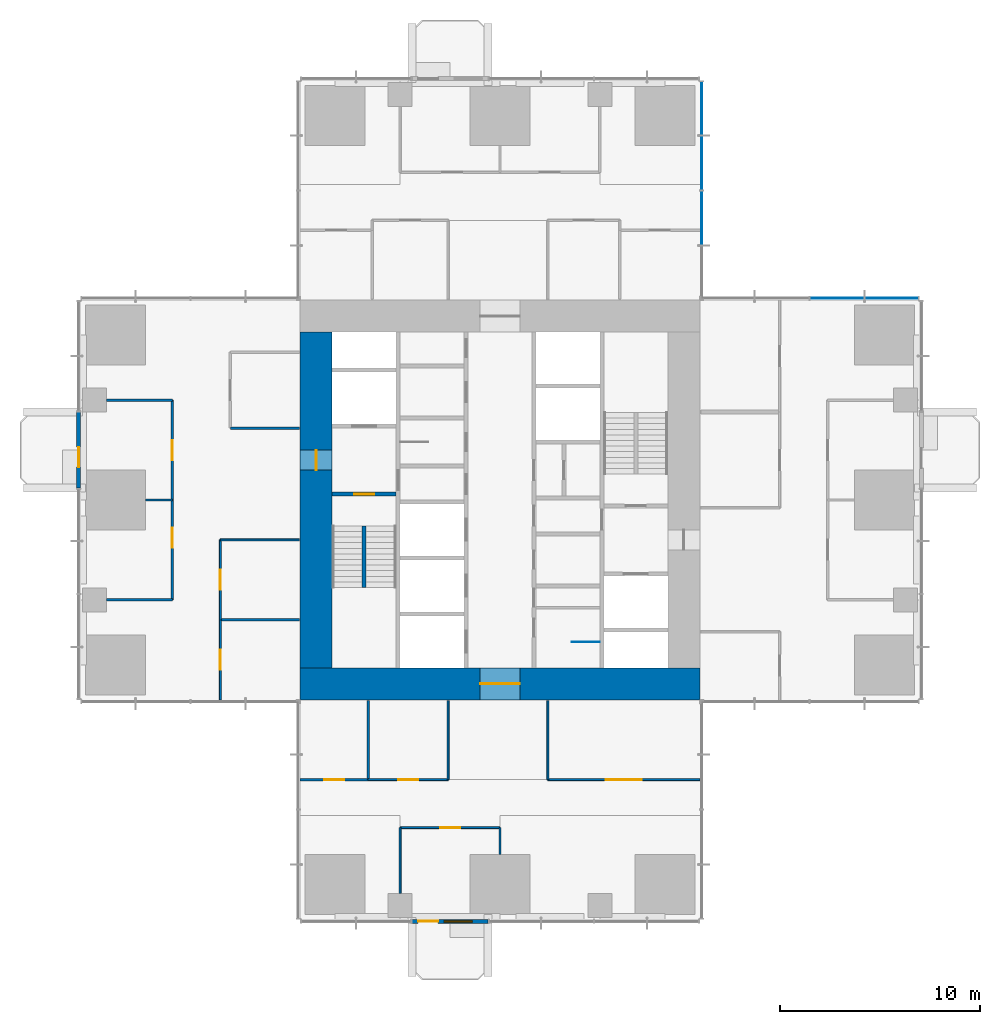
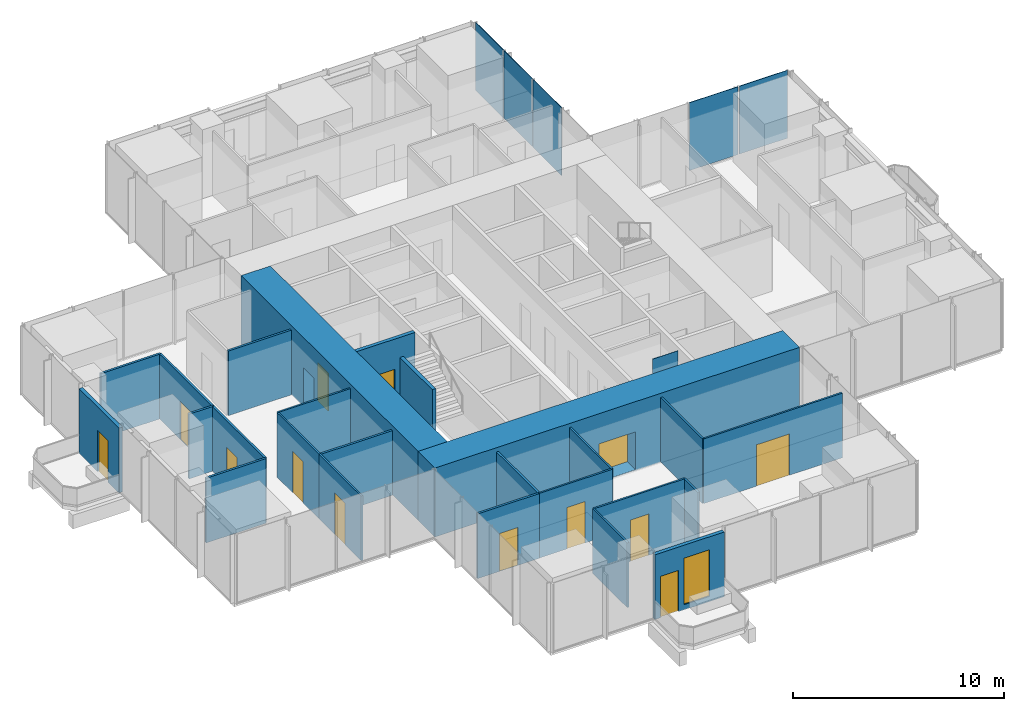
# One storey, part 8 of 14: 26 walls, 13 doors, 5 plates, 1 window, 14 openings, 2 elements without a shape of their own.
"""IFC4 building model written with IfcOpenShell, lengths in metres."""

from ifc_helpers import new_model, si_unit, direction, frame, frame_2d, origin, origin_2d, place, context, subcontext, project, spatial, rectangle, extrude, material, layer, layer_set, type_object, element, fill, aggregate, save


model = new_model("IFC4")

# Units and contexts
model_context = context("Model", 3, precision=1e-05, world=origin(), true_north=direction((0.0, 1.0)))
body_context = subcontext(model_context, "Body", "Model", "MODEL_VIEW")
ifc_project = project(units=[si_unit("LENGTHUNIT", "METRE"), si_unit("AREAUNIT", "SQUARE_METRE"), si_unit("VOLUMEUNIT", "CUBIC_METRE"), si_unit("PLANEANGLEUNIT", "RADIAN"), si_unit("MASSUNIT", "GRAM", prefix="KILO")], contexts=[model_context])

# Site, building, storey
site_placement = place(None, origin())
site = spatial("IfcSite", under=ifc_project, at=site_placement, CompositionType="ELEMENT")
building_placement = place(site_placement, origin())
building = spatial("IfcBuilding", under=site, at=building_placement, Name="Svetlomir Tower", CompositionType="ELEMENT")
storey_placement = place(building_placement, frame((0.0, 0.0, 108.5)))
storey = spatial("IfcBuildingStorey", under=building, at=storey_placement, Name="L25", CompositionType="ELEMENT", Elevation=108.5)

# Curtain wall, plates
ifc_material_1 = material(Name="Bronze anodised aluminium curtain wall", Category="aluminium")
curtain_wall_type = type_object("IfcCurtainWallType", Name="CURTAIN WALL CW1 TOWER OFFICE", PredefinedType="NOTDEFINED", material=ifc_material_1)
curtain_wall_1_placement = place(storey_placement, origin())
curtain_wall_1 = element("IfcCurtainWall", 1, at=curtain_wall_1_placement, inside=storey, type_object=curtain_wall_type, Name="Curtain wall CW1 L25", PredefinedType="NOTDEFINED")
ifc_material_2 = material(Name="Tinted double glazed unit", Category="glass")
ifc_layer_1 = layer(ifc_material_2, 0.031982421875)
ifc_layer_set_1 = layer_set([ifc_layer_1], Name="Tinted double glazed unit")
plate_type = type_object("IfcPlateType", Name="CW1 GLAZED PANEL 32", PredefinedType="CURTAIN_PANEL", material=ifc_layer_set_1)
plate_1_placement = place(storey_placement, frame((40.608642578125, 31.10009765625, 0.06494140625), z_axis=(0.0, 0.0, 1.0), x_axis=(-1.0, 0.0, 0.0)))
plate_1 = element("IfcPlate", 2, at=plate_1_placement, type_object=plate_type, Name="CW1 panel 1.1", PredefinedType="CURTAIN_PANEL", context=body_context, shape_type="SweptSolid", body=[
    extrude(rectangle(XDim=2.652587890625, YDim=0.031982421875, at=origin_2d()), origin(), (0.0, 0.0, 1.0), 3.93505859375),
])
plate_2_placement = place(storey_placement, frame((37.875, 31.10009765625, 0.06494140625), z_axis=(0.0, 0.0, 1.0), x_axis=(-1.0, 0.0, 0.0)))
plate_2 = element("IfcPlate", 3, at=plate_2_placement, type_object=plate_type, Name="CW1 panel 2.1", PredefinedType="CURTAIN_PANEL", context=body_context, shape_type="SweptSolid", body=[
    extrude(rectangle(XDim=2.68505859375, YDim=0.031982421875, at=origin_2d()), origin(), (0.0, 0.0, 1.0), 3.93505859375),
])
aggregate(curtain_wall_1, [plate_1, plate_2])

curtain_wall_2_placement = place(storey_placement, origin())
curtain_wall_2 = element("IfcCurtainWall", 4, at=curtain_wall_2_placement, inside=storey, type_object=curtain_wall_type, Name="Curtain wall CW1 L25", PredefinedType="NOTDEFINED")
plate_3_placement = place(storey_placement, frame((31.10009765625, 35.125, 0.06494140625), z_axis=(0.0, 0.0, 1.0), x_axis=(0.0, 1.0, 0.0)))
plate_3 = element("IfcPlate", 5, at=plate_3_placement, type_object=plate_type, Name="CW1 panel 2.1", PredefinedType="CURTAIN_PANEL", context=body_context, shape_type="SweptSolid", body=[
    extrude(rectangle(XDim=2.68505859375, YDim=0.031982421875, at=origin_2d()), origin(), (0.0, 0.0, 1.0), 3.93505859375),
])
plate_4_placement = place(storey_placement, frame((31.10009765625, 37.875, 0.06494140625), z_axis=(0.0, 0.0, 1.0), x_axis=(0.0, 1.0, 0.0)))
plate_4 = element("IfcPlate", 6, at=plate_4_placement, type_object=plate_type, Name="CW1 panel 3.1", PredefinedType="CURTAIN_PANEL", context=body_context, shape_type="SweptSolid", body=[
    extrude(rectangle(XDim=2.68505859375, YDim=0.031982421875, at=origin_2d()), origin(), (0.0, 0.0, 1.0), 3.93505859375),
])
plate_5_placement = place(storey_placement, frame((31.10009765625, 40.608642578125, 0.06494140625), z_axis=(0.0, 0.0, 1.0), x_axis=(0.0, 1.0, 0.0)))
plate_5 = element("IfcPlate", 7, at=plate_5_placement, type_object=plate_type, Name="CW1 panel 4.1", PredefinedType="CURTAIN_PANEL", context=body_context, shape_type="SweptSolid", body=[
    extrude(rectangle(XDim=2.652587890625, YDim=0.031982421875, at=origin_2d()), origin(), (0.0, 0.0, 1.0), 3.93505859375),
])
aggregate(curtain_wall_2, [plate_3, plate_4, plate_5])

# Wall, openings, door, window
ifc_material_3 = material(Name="Bronze anodised aluminium glazed screen", Category="aluminium")
ifc_layer_2 = layer(ifc_material_3, 0.199951171875)
ifc_layer_set_2 = layer_set([ifc_layer_2], Name="Bronze anodised aluminium glazed screen")
wall_type_1 = type_object("IfcWallType", Name="BALCONY SCREEN WALL 200", PredefinedType="USERDEFINED", material=ifc_layer_set_2)
wall_1_placement = place(storey_placement, frame((16.60009765625, -0.10009765625, 0.0), z_axis=(0.0, 0.0, 1.0), x_axis=(1.0, 0.0, 0.0)))
wall_1 = element("IfcWall", 8, at=wall_1_placement, inside=storey, type_object=wall_type_1, Name="Balcony screen S", ObjectType="GLAZED SCREEN", PredefinedType="USERDEFINED", context=body_context, shape_type="SweptSolid", body=[
    extrude(rectangle(XDim=3.7998046875, YDim=0.199951171875, at=frame_2d((1.89990234375, 0.0))), origin(), (0.0, 0.0, 1.0), 3.75),
])
opening_1_placement = place(wall_1_placement, frame((0.300048828125, 0.0, 0.0)))
opening_1 = element("IfcOpeningElement", 9, at=opening_1_placement, cuts=wall_1, Name="Opening BD", PredefinedType="OPENING", context=body_context, shape_type="SweptSolid", body=[
    extrude(rectangle(XDim=1.0, YDim=2.39990234375, at=frame_2d((0.5, 1.199951171875))), frame((0.0, 0.10986328125, 0.0), z_axis=(0.0, -1.0, 0.0), x_axis=(1.0, 0.0, 0.0)), (0.0, 0.0, 1.0), 0.219970703125),
])
opening_2_placement = place(wall_1_placement, frame((1.60009765625, 0.0, 0.300048828125)))
opening_2 = element("IfcOpeningElement", 10, at=opening_2_placement, cuts=wall_1, Name="Opening WS2", PredefinedType="OPENING", context=body_context, shape_type="SweptSolid", body=[
    extrude(rectangle(XDim=1.39990234375, YDim=2.699951171875, at=frame_2d((0.699951171875, 1.35009765625))), frame((0.0, 0.10986328125, 0.0), z_axis=(0.0, -1.0, 0.0), x_axis=(1.0, 0.0, 0.0)), (0.0, 0.0, 1.0), 0.219970703125),
])
ifc_material_4 = material(Name="Bronze anodised aluminium glazed door", Category="aluminium")
door_type_1 = type_object("IfcDoorType", Name="BALCONY DOOR BD 1000x2400", OperationType="SINGLE_SWING_LEFT", PredefinedType="DOOR", material=ifc_material_4)
door_1_placement = place(opening_1_placement, origin())
door_1 = element("IfcDoor", 11, at=door_1_placement, inside=storey, type_object=door_type_1, Name="Balcony screen S door", OperationType="SINGLE_SWING_LEFT", OverallHeight=2.39990234375, OverallWidth=1.0, PredefinedType="DOOR", context=body_context, shape_type="SweptSolid", body=[
    extrude(rectangle(XDim=1.0, YDim=2.39990234375, at=frame_2d((0.5, 1.199951171875))), frame((0.0, 0.02490234375, 0.0), z_axis=(0.0, -1.0, 0.0), x_axis=(1.0, 0.0, 0.0)), (0.0, 0.0, 1.0), 0.050048828125),
])
fill(opening_1, door_1)
ifc_material_5 = material(Name="Bronze anodised aluminium window", Category="aluminium")
window_type = type_object("IfcWindowType", Name="SCREEN WINDOW WS2 1400x2700", PartitioningType="SINGLE_PANEL", PredefinedType="WINDOW", material=ifc_material_5)
window_placement = place(opening_2_placement, origin())
window = element("IfcWindow", 12, at=window_placement, inside=storey, type_object=window_type, Name="Balcony screen S window 1", OverallHeight=2.699951171875, OverallWidth=1.39990234375, PartitioningType="SINGLE_PANEL", PredefinedType="WINDOW", context=body_context, shape_type="SweptSolid", body=[
    extrude(rectangle(XDim=1.39990234375, YDim=2.699951171875, at=frame_2d((0.699951171875, 1.35009765625))), frame((0.0, 0.030029296875, 0.0), z_axis=(0.0, -1.0, 0.0), x_axis=(1.0, 0.0, 0.0)), (0.0, 0.0, 1.0), 0.06005859375),
])
fill(opening_2, window)

# Wall, opening, door
wall_2_placement = place(storey_placement, frame((-0.10009765625, 25.39990234375, 0.0), z_axis=(0.0, 0.0, 1.0), x_axis=(0.0, -1.0, 0.0)))
wall_2 = element("IfcWall", 13, at=wall_2_placement, inside=storey, type_object=wall_type_1, Name="Balcony screen W", ObjectType="GLAZED SCREEN", PredefinedType="USERDEFINED", context=body_context, shape_type="SweptSolid", body=[
    extrude(rectangle(XDim=3.7998046875, YDim=0.199951171875, at=frame_2d((1.89990234375, 0.0))), origin(), (0.0, 0.0, 1.0), 3.75),
])
opening_3_placement = place(wall_2_placement, frame((1.75, 0.0, 0.0)))
opening_3 = element("IfcOpeningElement", 14, at=opening_3_placement, cuts=wall_2, Name="Opening BD", PredefinedType="OPENING", context=body_context, shape_type="SweptSolid", body=[
    extrude(rectangle(XDim=1.0, YDim=2.39990234375, at=frame_2d((0.5, 1.199951171875))), frame((0.0, 0.10986328125, 0.0), z_axis=(0.0, -1.0, 0.0), x_axis=(1.0, 0.0, 0.0)), (0.0, 0.0, 1.0), 0.219970703125),
])
door_2_placement = place(opening_3_placement, origin())
door_2 = element("IfcDoor", 15, at=door_2_placement, inside=storey, type_object=door_type_1, Name="Balcony screen W door", OperationType="SINGLE_SWING_LEFT", OverallHeight=2.39990234375, OverallWidth=1.0, PredefinedType="DOOR", context=body_context, shape_type="SweptSolid", body=[
    extrude(rectangle(XDim=1.0, YDim=2.39990234375, at=frame_2d((0.5, 1.199951171875))), frame((0.0, 0.02490234375, 0.0), z_axis=(0.0, -1.0, 0.0), x_axis=(1.0, 0.0, 0.0)), (0.0, 0.0, 1.0), 0.050048828125),
])
fill(opening_3, door_2)

ifc_material_6 = material(Name="Concrete C60/75", Category="concrete")
ifc_layer_3 = layer(ifc_material_6, 0.199951171875)
ifc_layer_set_3 = layer_set([ifc_layer_3], Name="Concrete C60/75")
wall_type_2 = type_object("IfcWallType", Name="CORE INNER WALL 200", PredefinedType="SHEAR", material=ifc_layer_set_3)
wall_3_placement = place(storey_placement, frame((12.60009765625, 21.300048828125, -0.050048828125), z_axis=(0.0, 0.0, 1.0), x_axis=(1.0, 0.0, 0.0)))
wall_3 = element("IfcWall", 16, at=wall_3_placement, inside=storey, type_object=wall_type_2, Name="Core inner wall 12.6-15.8/21.3 L25", PredefinedType="SHEAR", context=body_context, shape_type="SweptSolid", body=[
    extrude(rectangle(XDim=3.199951171875, YDim=0.199951171875, at=frame_2d((1.60009765625, 0.0))), origin(), (0.0, 0.0, 1.0), 4.0),
])
opening_4_placement = place(wall_3_placement, frame((1.10009765625, 0.0, 0.050048828125)))
opening_4 = element("IfcOpeningElement", 17, at=opening_4_placement, cuts=wall_3, Name="Opening DF", PredefinedType="OPENING", context=body_context, shape_type="SweptSolid", body=[
    extrude(rectangle(XDim=1.0, YDim=2.199951171875, at=frame_2d((0.5, 1.10009765625))), frame((0.0, 0.10986328125, 0.0), z_axis=(0.0, -1.0, 0.0), x_axis=(1.0, 0.0, 0.0)), (0.0, 0.0, 1.0), 0.219970703125),
])
ifc_material_7 = material(Name="Steel fire door", Category="steel")
door_type_2 = type_object("IfcDoorType", Name="DOOR DF 1000x2200", OperationType="SINGLE_SWING_LEFT", PredefinedType="DOOR", material=ifc_material_7)
door_3_placement = place(opening_4_placement, origin())
door_3 = element("IfcDoor", 18, at=door_3_placement, inside=storey, type_object=door_type_2, Name="Stair S1 door L25", OperationType="SINGLE_SWING_RIGHT", OverallHeight=2.199951171875, OverallWidth=1.0, PredefinedType="DOOR", context=body_context, shape_type="SweptSolid", body=[
    extrude(rectangle(XDim=1.0, YDim=2.199951171875, at=frame_2d((0.5, 1.10009765625))), frame((0.0, 0.02490234375, 0.0), z_axis=(0.0, -1.0, 0.0), x_axis=(1.0, 0.0, 0.0)), (0.0, 0.0, 1.0), 0.050048828125),
])
fill(opening_4, door_3)

ifc_material_8 = material(Name="Concrete C60/75", Category="concrete")
ifc_layer_4 = layer(ifc_material_8, 1.60009765625)
ifc_layer_set_4 = layer_set([ifc_layer_4], Name="Concrete C60/75")
wall_type_3 = type_object("IfcWallType", Name="CORE WALL 1600", PredefinedType="SHEAR", material=ifc_layer_set_4)
wall_4_placement = place(storey_placement, frame((11.0, 11.800048828125, -0.050048828125), z_axis=(0.0, 0.0, 1.0), x_axis=(1.0, 0.0, 0.0)))
wall_4 = element("IfcWall", 19, at=wall_4_placement, inside=storey, type_object=wall_type_3, Name="Core wall south L25", PredefinedType="SHEAR", context=body_context, shape_type="SweptSolid", body=[
    extrude(rectangle(XDim=20.0, YDim=1.60009765625, at=frame_2d((10.0, 0.0))), origin(), (0.0, 0.0, 1.0), 4.0),
])
opening_5_placement = place(wall_4_placement, frame((9.0, 0.0, 0.050048828125)))
opening_5 = element("IfcOpeningElement", 20, at=opening_5_placement, cuts=wall_4, Name="Opening DL", PredefinedType="OPENING", context=body_context, shape_type="SweptSolid", body=[
    extrude(rectangle(XDim=2.0, YDim=2.199951171875, at=frame_2d((1.0, 1.10009765625))), frame((0.0, 0.81005859375, 0.0), z_axis=(0.0, -1.0, 0.0), x_axis=(1.0, 0.0, 0.0)), (0.0, 0.0, 1.0), 1.6201171875),
])
ifc_material_9 = material(Name="Steel fire door", Category="steel")
door_type_3 = type_object("IfcDoorType", Name="DOOR DL 2000x2200", OperationType="DOUBLE_DOOR_SINGLE_SWING", PredefinedType="DOOR", material=ifc_material_9)
door_4_placement = place(opening_5_placement, origin())
door_4 = element("IfcDoor", 21, at=door_4_placement, inside=storey, type_object=door_type_3, Name="Lift lobby south door L25", OperationType="DOUBLE_DOOR_SINGLE_SWING", OverallHeight=2.199951171875, OverallWidth=2.0, PredefinedType="DOOR", context=body_context, shape_type="SweptSolid", body=[
    extrude(rectangle(XDim=2.0, YDim=2.199951171875, at=frame_2d((1.0, 1.10009765625))), frame((0.0, 0.02490234375, 0.0), z_axis=(0.0, -1.0, 0.0), x_axis=(1.0, 0.0, 0.0)), (0.0, 0.0, 1.0), 0.050048828125),
])
fill(opening_5, door_4)

wall_5_placement = place(storey_placement, frame((11.800048828125, 12.60009765625, -0.050048828125), z_axis=(0.0, 0.0, 1.0), x_axis=(0.0, 1.0, 0.0)))
wall_5 = element("IfcWall", 22, at=wall_5_placement, inside=storey, type_object=wall_type_3, Name="Core wall west L25", PredefinedType="SHEAR", context=body_context, shape_type="SweptSolid", body=[
    extrude(rectangle(XDim=16.7998046875, YDim=1.60009765625, at=frame_2d((8.39990234375, 0.0))), origin(), (0.0, 0.0, 1.0), 4.0),
])
opening_6_placement = place(wall_5_placement, frame((9.89990234375, 0.0, 0.050048828125)))
opening_6 = element("IfcOpeningElement", 23, at=opening_6_placement, cuts=wall_5, Name="Opening DF", PredefinedType="OPENING", context=body_context, shape_type="SweptSolid", body=[
    extrude(rectangle(XDim=1.0, YDim=2.199951171875, at=frame_2d((0.5, 1.10009765625))), frame((0.0, 0.81005859375, 0.0), z_axis=(0.0, -1.0, 0.0), x_axis=(1.0, 0.0, 0.0)), (0.0, 0.0, 1.0), 1.6201171875),
])
door_5_placement = place(opening_6_placement, origin())
door_5 = element("IfcDoor", 24, at=door_5_placement, inside=storey, type_object=door_type_2, Name="Firefighting lobby west door L25", OperationType="SINGLE_SWING_RIGHT", OverallHeight=2.199951171875, OverallWidth=1.0, PredefinedType="DOOR", context=body_context, shape_type="SweptSolid", body=[
    extrude(rectangle(XDim=1.0, YDim=2.199951171875, at=frame_2d((0.5, 1.10009765625))), frame((0.0, 0.02490234375, 0.0), z_axis=(0.0, -1.0, 0.0), x_axis=(1.0, 0.0, 0.0)), (0.0, 0.0, 1.0), 0.050048828125),
])
fill(opening_6, door_5)

ifc_material_10 = material(Name="Framed laminated glass partition", Category="glass")
ifc_layer_5 = layer(ifc_material_10, 0.10009765625)
ifc_layer_set_5 = layer_set([ifc_layer_5], Name="Framed laminated glass partition")
wall_type_4 = type_object("IfcWallType", Name="GLAZED PARTITION 100", PredefinedType="PARTITIONING", material=ifc_layer_set_5)
wall_6_placement = place(storey_placement, frame((7.0, 11.0, 0.0), z_axis=(0.0, 0.0, 1.0), x_axis=(0.0, 1.0, 0.0)))
wall_6 = element("IfcWall", 25, at=wall_6_placement, inside=storey, type_object=wall_type_4, Name="Glazed partition L25", PredefinedType="PARTITIONING", context=body_context, shape_type="SweptSolid", body=[
    extrude(rectangle(XDim=4.0, YDim=0.10009765625, at=frame_2d((2.0, 0.0))), origin(), (0.0, 0.0, 1.0), 3.75),
])
opening_7_placement = place(wall_6_placement, frame((1.5, 0.0, 0.0)))
opening_7 = element("IfcOpeningElement", 26, at=opening_7_placement, cuts=wall_6, Name="Opening DG", PredefinedType="OPENING", context=body_context, shape_type="SweptSolid", body=[
    extrude(rectangle(XDim=1.0, YDim=2.39990234375, at=frame_2d((0.5, 1.199951171875))), frame((0.0, 0.06005859375, 0.0), z_axis=(0.0, -1.0, 0.0), x_axis=(1.0, 0.0, 0.0)), (0.0, 0.0, 1.0), 0.1201171875),
])
ifc_material_11 = material(Name="Framed laminated glass door", Category="glass")
door_type_4 = type_object("IfcDoorType", Name="GLAZED DOOR DG 1000x2400", OperationType="SINGLE_SWING_LEFT", PredefinedType="DOOR", material=ifc_material_11)
door_6_placement = place(opening_7_placement, origin())
door_6 = element("IfcDoor", 27, at=door_6_placement, inside=storey, type_object=door_type_4, Name="Meeting room, 4 seats door L25", OperationType="SINGLE_SWING_RIGHT", OverallHeight=2.39990234375, OverallWidth=1.0, PredefinedType="DOOR", context=body_context, shape_type="SweptSolid", body=[
    extrude(rectangle(XDim=1.0, YDim=2.39990234375, at=frame_2d((0.5, 1.199951171875))), frame((0.0, 0.02490234375, 0.0), z_axis=(0.0, -1.0, 0.0), x_axis=(1.0, 0.0, 0.0)), (0.0, 0.0, 1.0), 0.050048828125),
])
fill(opening_7, door_6)

wall_7_placement = place(storey_placement, frame((7.0, 15.0, 0.0), z_axis=(0.0, 0.0, 1.0), x_axis=(0.0, 1.0, 0.0)))
wall_7 = element("IfcWall", 28, at=wall_7_placement, inside=storey, type_object=wall_type_4, Name="Glazed partition L25", PredefinedType="PARTITIONING", context=body_context, shape_type="SweptSolid", body=[
    extrude(rectangle(XDim=4.0, YDim=0.10009765625, at=frame_2d((2.0, 0.0))), origin(), (0.0, 0.0, 1.0), 3.75),
])
opening_8_placement = place(wall_7_placement, frame((1.5, 0.0, 0.0)))
opening_8 = element("IfcOpeningElement", 29, at=opening_8_placement, cuts=wall_7, Name="Opening DG", PredefinedType="OPENING", context=body_context, shape_type="SweptSolid", body=[
    extrude(rectangle(XDim=1.0, YDim=2.39990234375, at=frame_2d((0.5, 1.199951171875))), frame((0.0, 0.06005859375, 0.0), z_axis=(0.0, -1.0, 0.0), x_axis=(1.0, 0.0, 0.0)), (0.0, 0.0, 1.0), 0.1201171875),
])
door_7_placement = place(opening_8_placement, origin())
door_7 = element("IfcDoor", 30, at=door_7_placement, inside=storey, type_object=door_type_4, Name="Focus room 1 door L25", OperationType="SINGLE_SWING_LEFT", OverallHeight=2.39990234375, OverallWidth=1.0, PredefinedType="DOOR", context=body_context, shape_type="SweptSolid", body=[
    extrude(rectangle(XDim=1.0, YDim=2.39990234375, at=frame_2d((0.5, 1.199951171875))), frame((0.0, 0.02490234375, 0.0), z_axis=(0.0, -1.0, 0.0), x_axis=(1.0, 0.0, 0.0)), (0.0, 0.0, 1.0), 0.050048828125),
])
fill(opening_8, door_7)

# Wall
wall_8_placement = place(storey_placement, frame((7.0, 19.0, 0.0), z_axis=(0.0, 0.0, 1.0), x_axis=(1.0, 0.0, 0.0)))
element("IfcWall", 31, at=wall_8_placement, inside=storey, type_object=wall_type_4, Name="Glazed partition L25", PredefinedType="PARTITIONING", context=body_context, shape_type="SweptSolid", body=[
    extrude(rectangle(XDim=3.949951171875, YDim=0.10009765625, at=frame_2d((1.97509765625, 0.0))), origin(), (0.0, 0.0, 1.0), 3.75),
])

# Wall, opening, door
wall_9_placement = place(storey_placement, frame((14.39990234375, 7.0, 0.0), z_axis=(0.0, 0.0, 1.0), x_axis=(1.0, 0.0, 0.0)))
wall_9 = element("IfcWall", 32, at=wall_9_placement, inside=storey, type_object=wall_type_4, Name="Glazed partition L25", PredefinedType="PARTITIONING", context=body_context, shape_type="SweptSolid", body=[
    extrude(rectangle(XDim=4.0, YDim=0.10009765625, at=frame_2d((2.0, 0.0))), origin(), (0.0, 0.0, 1.0), 3.75),
])
opening_9_placement = place(wall_9_placement, frame((1.5, 0.0, 0.0)))
opening_9 = element("IfcOpeningElement", 33, at=opening_9_placement, cuts=wall_9, Name="Opening DG", PredefinedType="OPENING", context=body_context, shape_type="SweptSolid", body=[
    extrude(rectangle(XDim=1.0, YDim=2.39990234375, at=frame_2d((0.5, 1.199951171875))), frame((0.0, 0.06005859375, 0.0), z_axis=(0.0, -1.0, 0.0), x_axis=(1.0, 0.0, 0.0)), (0.0, 0.0, 1.0), 0.1201171875),
])
door_8_placement = place(opening_9_placement, origin())
door_8 = element("IfcDoor", 34, at=door_8_placement, inside=storey, type_object=door_type_4, Name="Witness interview room door L25", OperationType="SINGLE_SWING_RIGHT", OverallHeight=2.39990234375, OverallWidth=1.0, PredefinedType="DOOR", context=body_context, shape_type="SweptSolid", body=[
    extrude(rectangle(XDim=1.0, YDim=2.39990234375, at=frame_2d((0.5, 1.199951171875))), frame((0.0, 0.02490234375, 0.0), z_axis=(0.0, -1.0, 0.0), x_axis=(1.0, 0.0, 0.0)), (0.0, 0.0, 1.0), 0.050048828125),
])
fill(opening_9, door_8)

# Wall
wall_10_placement = place(storey_placement, frame((16.0, 1.31005859375, 0.0), z_axis=(0.0, 0.0, 1.0), x_axis=(0.0, 1.0, 0.0)))
element("IfcWall", 35, at=wall_10_placement, inside=storey, type_object=wall_type_4, Name="Glazed partition L25", PredefinedType="PARTITIONING", context=body_context, shape_type="SweptSolid", body=[
    extrude(rectangle(XDim=3.2900390625, YDim=0.10009765625, at=frame_2d((1.64501953125, 0.0))), origin(), (0.0, 0.0, 1.0), 3.75),
])

# Wall, opening, door
wall_11_placement = place(storey_placement, frame((16.0, 4.60009765625, 0.0), z_axis=(0.0, 0.0, 1.0), x_axis=(1.0, 0.0, 0.0)))
wall_11 = element("IfcWall", 36, at=wall_11_placement, inside=storey, type_object=wall_type_4, Name="Glazed partition L25", PredefinedType="PARTITIONING", context=body_context, shape_type="SweptSolid", body=[
    extrude(rectangle(XDim=5.0, YDim=0.10009765625, at=frame_2d((2.5, 0.0))), origin(), (0.0, 0.0, 1.0), 3.75),
])
opening_10_placement = place(wall_11_placement, frame((2.0, 0.0, 0.0)))
opening_10 = element("IfcOpeningElement", 37, at=opening_10_placement, cuts=wall_11, Name="Opening DG", PredefinedType="OPENING", context=body_context, shape_type="SweptSolid", body=[
    extrude(rectangle(XDim=1.0, YDim=2.39990234375, at=frame_2d((0.5, 1.199951171875))), frame((0.0, 0.06005859375, 0.0), z_axis=(0.0, -1.0, 0.0), x_axis=(1.0, 0.0, 0.0)), (0.0, 0.0, 1.0), 0.1201171875),
])
door_9_placement = place(opening_10_placement, origin())
door_9 = element("IfcDoor", 38, at=door_9_placement, inside=storey, type_object=door_type_4, Name="Legal break-out and kitchenette door L25", OperationType="SINGLE_SWING_LEFT", OverallHeight=2.39990234375, OverallWidth=1.0, PredefinedType="DOOR", context=body_context, shape_type="SweptSolid", body=[
    extrude(rectangle(XDim=1.0, YDim=2.39990234375, at=frame_2d((0.5, 1.199951171875))), frame((0.0, 0.02490234375, 0.0), z_axis=(0.0, -1.0, 0.0), x_axis=(1.0, 0.0, 0.0)), (0.0, 0.0, 1.0), 0.050048828125),
])
fill(opening_10, door_9)

# Walls
wall_12_placement = place(storey_placement, frame((18.39990234375, 7.0, 0.0), z_axis=(0.0, 0.0, 1.0), x_axis=(0.0, 1.0, 0.0)))
element("IfcWall", 39, at=wall_12_placement, inside=storey, type_object=wall_type_4, Name="Glazed partition L25", PredefinedType="PARTITIONING", context=body_context, shape_type="SweptSolid", body=[
    extrude(rectangle(XDim=3.949951171875, YDim=0.10009765625, at=frame_2d((1.97509765625, 0.0))), origin(), (0.0, 0.0, 1.0), 3.75),
])
wall_13_placement = place(storey_placement, frame((21.0, 3.260009765625, 0.0), z_axis=(0.0, 0.0, 1.0), x_axis=(0.0, 1.0, 0.0)))
element("IfcWall", 40, at=wall_13_placement, inside=storey, type_object=wall_type_4, Name="Glazed partition L25", PredefinedType="PARTITIONING", context=body_context, shape_type="SweptSolid", body=[
    extrude(rectangle(XDim=1.340087890625, YDim=0.10009765625, at=frame_2d((0.669921875, 0.0))), origin(), (0.0, 0.0, 1.0), 3.75),
])
wall_14_placement = place(storey_placement, frame((23.39990234375, 7.0, 0.0), z_axis=(0.0, 0.0, 1.0), x_axis=(0.0, 1.0, 0.0)))
element("IfcWall", 41, at=wall_14_placement, inside=storey, type_object=wall_type_4, Name="Glazed partition L25", PredefinedType="PARTITIONING", context=body_context, shape_type="SweptSolid", body=[
    extrude(rectangle(XDim=3.949951171875, YDim=0.10009765625, at=frame_2d((1.97509765625, 0.0))), origin(), (0.0, 0.0, 1.0), 3.75),
])

# Wall, opening, door
wall_15_placement = place(storey_placement, frame((23.39990234375, 7.0, 0.0), z_axis=(0.0, 0.0, 1.0), x_axis=(1.0, 0.0, 0.0)))
wall_15 = element("IfcWall", 42, at=wall_15_placement, inside=storey, type_object=wall_type_4, Name="Glazed partition L25", PredefinedType="PARTITIONING", context=body_context, shape_type="SweptSolid", body=[
    extrude(rectangle(XDim=7.60009765625, YDim=0.10009765625, at=frame_2d((3.800048828125, 0.0))), origin(), (0.0, 0.0, 1.0), 3.75),
])
opening_11_placement = place(wall_15_placement, frame((2.89990234375, 0.0, 0.0)))
opening_11 = element("IfcOpeningElement", 43, at=opening_11_placement, cuts=wall_15, Name="Opening DD", PredefinedType="OPENING", context=body_context, shape_type="SweptSolid", body=[
    extrude(rectangle(XDim=1.800048828125, YDim=2.39990234375, at=frame_2d((0.89990234375, 1.199951171875))), frame((0.0, 0.06005859375, 0.0), z_axis=(0.0, -1.0, 0.0), x_axis=(1.0, 0.0, 0.0)), (0.0, 0.0, 1.0), 0.1201171875),
])
ifc_material_12 = material(Name="Timber door", Category="wood")
door_type_5 = type_object("IfcDoorType", Name="DOOR DD 1800x2400", OperationType="DOUBLE_DOOR_SINGLE_SWING", PredefinedType="DOOR", material=ifc_material_12)
door_10_placement = place(opening_11_placement, origin())
door_10 = element("IfcDoor", 44, at=door_10_placement, inside=storey, type_object=door_type_5, Name="Contract negotiation room, 14 seats door L25", OperationType="DOUBLE_DOOR_SINGLE_SWING", OverallHeight=2.39990234375, OverallWidth=1.800048828125, PredefinedType="DOOR", context=body_context, shape_type="SweptSolid", body=[
    extrude(rectangle(XDim=1.800048828125, YDim=2.39990234375, at=frame_2d((0.89990234375, 1.199951171875))), frame((0.0, 0.02490234375, 0.0), z_axis=(0.0, -1.0, 0.0), x_axis=(1.0, 0.0, 0.0)), (0.0, 0.0, 1.0), 0.050048828125),
])
fill(opening_11, door_10)

# Walls
ifc_material_13 = material(Name="Gypsum board on steel studs", Category="steel")
ifc_layer_6 = layer(ifc_material_13, 0.1201171875)
ifc_layer_set_6 = layer_set([ifc_layer_6], Name="Gypsum board on steel studs")
wall_type_5 = type_object("IfcWallType", Name="PARTITION 120", PredefinedType="PARTITIONING", material=ifc_layer_set_6)
for number, where, z_axis, x_axis, name in (
    (45, (1.31005859375, 16.0, 0.0), (0.0, 0.0, 1.0), (1.0, 0.0, 0.0), "Partition L25"),
    (46, (1.31005859375, 26.0, 0.0), (0.0, 0.0, 1.0), (1.0, 0.0, 0.0), "Partition L25"),
):
    element("IfcWall", number, at=place(storey_placement, frame(where, z_axis=z_axis, x_axis=x_axis)), inside=storey, type_object=wall_type_5, Name=name, PredefinedType="PARTITIONING", context=body_context, shape_type="SweptSolid", body=[
        extrude(rectangle(XDim=3.2900390625, YDim=0.1201171875, at=frame_2d((1.64501953125, 0.0))), origin(), (0.0, 0.0, 1.0), 3.75),
    ])
wall_16_placement = place(storey_placement, frame((3.260009765625, 21.0, 0.0), z_axis=(0.0, 0.0, 1.0), x_axis=(1.0, 0.0, 0.0)))
element("IfcWall", 47, at=wall_16_placement, inside=storey, type_object=wall_type_5, Name="Partition L25", PredefinedType="PARTITIONING", context=body_context, shape_type="SweptSolid", body=[
    extrude(rectangle(XDim=1.340087890625, YDim=0.1201171875, at=frame_2d((0.669921875, 0.0))), origin(), (0.0, 0.0, 1.0), 3.75),
])

# Wall, opening, door
wall_17_placement = place(storey_placement, frame((4.60009765625, 16.0, 0.0), z_axis=(0.0, 0.0, 1.0), x_axis=(0.0, 1.0, 0.0)))
wall_17 = element("IfcWall", 48, at=wall_17_placement, inside=storey, type_object=wall_type_5, Name="Partition L25", PredefinedType="PARTITIONING", context=body_context, shape_type="SweptSolid", body=[
    extrude(rectangle(XDim=5.0, YDim=0.1201171875, at=frame_2d((2.5, 0.0))), origin(), (0.0, 0.0, 1.0), 3.75),
])
opening_12_placement = place(wall_17_placement, frame((2.60009765625, 0.0, 0.0)))
opening_12 = element("IfcOpeningElement", 49, at=opening_12_placement, cuts=wall_17, Name="Opening DR", PredefinedType="OPENING", context=body_context, shape_type="SweptSolid", body=[
    extrude(rectangle(XDim=1.0, YDim=2.199951171875, at=frame_2d((0.5, 1.10009765625))), frame((0.0, 0.070068359375, 0.0), z_axis=(0.0, -1.0, 0.0), x_axis=(1.0, 0.0, 0.0)), (0.0, 0.0, 1.0), 0.14013671875),
])
ifc_material_14 = material(Name="Timber door, glazed side light", Category="wood")
door_type_6 = type_object("IfcDoorType", Name="DOOR DR 1000x2200", OperationType="SINGLE_SWING_LEFT", PredefinedType="DOOR", material=ifc_material_14)
door_11_placement = place(opening_12_placement, origin())
door_11 = element("IfcDoor", 50, at=door_11_placement, inside=storey, type_object=door_type_6, Name="Senior counsel office door L25", OperationType="SINGLE_SWING_RIGHT", OverallHeight=2.199951171875, OverallWidth=1.0, PredefinedType="DOOR", context=body_context, shape_type="SweptSolid", body=[
    extrude(rectangle(XDim=1.0, YDim=2.199951171875, at=frame_2d((0.5, 1.10009765625))), frame((0.0, 0.02490234375, 0.0), z_axis=(0.0, -1.0, 0.0), x_axis=(1.0, 0.0, 0.0)), (0.0, 0.0, 1.0), 0.050048828125),
])
fill(opening_12, door_11)

wall_18_placement = place(storey_placement, frame((4.60009765625, 21.0, 0.0), z_axis=(0.0, 0.0, 1.0), x_axis=(0.0, 1.0, 0.0)))
wall_18 = element("IfcWall", 51, at=wall_18_placement, inside=storey, type_object=wall_type_5, Name="Partition L25", PredefinedType="PARTITIONING", context=body_context, shape_type="SweptSolid", body=[
    extrude(rectangle(XDim=5.0, YDim=0.1201171875, at=frame_2d((2.5, 0.0))), origin(), (0.0, 0.0, 1.0), 3.75),
])
opening_13_placement = place(wall_18_placement, frame((2.0, 0.0, 0.0)))
opening_13 = element("IfcOpeningElement", 52, at=opening_13_placement, cuts=wall_18, Name="Opening DR", PredefinedType="OPENING", context=body_context, shape_type="SweptSolid", body=[
    extrude(rectangle(XDim=1.0, YDim=2.199951171875, at=frame_2d((0.5, 1.10009765625))), frame((0.0, 0.070068359375, 0.0), z_axis=(0.0, -1.0, 0.0), x_axis=(1.0, 0.0, 0.0)), (0.0, 0.0, 1.0), 0.14013671875),
])
door_12_placement = place(opening_13_placement, origin())
door_12 = element("IfcDoor", 53, at=door_12_placement, inside=storey, type_object=door_type_6, Name="Counsel office 1 door L25", OperationType="SINGLE_SWING_LEFT", OverallHeight=2.199951171875, OverallWidth=1.0, PredefinedType="DOOR", context=body_context, shape_type="SweptSolid", body=[
    extrude(rectangle(XDim=1.0, YDim=2.199951171875, at=frame_2d((0.5, 1.10009765625))), frame((0.0, 0.02490234375, 0.0), z_axis=(0.0, -1.0, 0.0), x_axis=(1.0, 0.0, 0.0)), (0.0, 0.0, 1.0), 0.050048828125),
])
fill(opening_13, door_12)

# Walls
wall_19_placement = place(storey_placement, frame((7.0, 15.0, 0.0), z_axis=(0.0, 0.0, 1.0), x_axis=(1.0, 0.0, 0.0)))
element("IfcWall", 54, at=wall_19_placement, inside=storey, type_object=wall_type_5, Name="Partition L25", PredefinedType="PARTITIONING", context=body_context, shape_type="SweptSolid", body=[
    extrude(rectangle(XDim=3.949951171875, YDim=0.1201171875, at=frame_2d((1.97509765625, 0.0))), origin(), (0.0, 0.0, 1.0), 3.75),
])
wall_20_placement = place(storey_placement, frame((7.5, 24.60009765625, 0.0), z_axis=(0.0, 0.0, 1.0), x_axis=(1.0, 0.0, 0.0)))
element("IfcWall", 55, at=wall_20_placement, inside=storey, type_object=wall_type_5, Name="Partition L25", PredefinedType="PARTITIONING", context=body_context, shape_type="SweptSolid", body=[
    extrude(rectangle(XDim=3.449951171875, YDim=0.1201171875, at=frame_2d((1.72509765625, 0.0))), origin(), (0.0, 0.0, 1.0), 3.75),
])

# Wall, opening, door
wall_21_placement = place(storey_placement, frame((11.0, 7.0, 0.0), z_axis=(0.0, 0.0, 1.0), x_axis=(1.0, 0.0, 0.0)))
wall_21 = element("IfcWall", 56, at=wall_21_placement, inside=storey, type_object=wall_type_5, Name="Partition L25", PredefinedType="PARTITIONING", context=body_context, shape_type="SweptSolid", body=[
    extrude(rectangle(XDim=3.39990234375, YDim=0.1201171875, at=frame_2d((1.699951171875, 0.0))), origin(), (0.0, 0.0, 1.0), 3.75),
])
opening_14_placement = place(wall_21_placement, frame((1.199951171875, 0.0, 0.0)))
opening_14 = element("IfcOpeningElement", 57, at=opening_14_placement, cuts=wall_21, Name="Opening DR", PredefinedType="OPENING", context=body_context, shape_type="SweptSolid", body=[
    extrude(rectangle(XDim=1.0, YDim=2.199951171875, at=frame_2d((0.5, 1.10009765625))), frame((0.0, 0.070068359375, 0.0), z_axis=(0.0, -1.0, 0.0), x_axis=(1.0, 0.0, 0.0)), (0.0, 0.0, 1.0), 0.14013671875),
])
door_13_placement = place(opening_14_placement, origin())
door_13 = element("IfcDoor", 58, at=door_13_placement, inside=storey, type_object=door_type_6, Name="Paralegals office door L25", OperationType="SINGLE_SWING_RIGHT", OverallHeight=2.199951171875, OverallWidth=1.0, PredefinedType="DOOR", context=body_context, shape_type="SweptSolid", body=[
    extrude(rectangle(XDim=1.0, YDim=2.199951171875, at=frame_2d((0.5, 1.10009765625))), frame((0.0, 0.02490234375, 0.0), z_axis=(0.0, -1.0, 0.0), x_axis=(1.0, 0.0, 0.0)), (0.0, 0.0, 1.0), 0.050048828125),
])
fill(opening_14, door_13)

# Walls
wall_22_placement = place(storey_placement, frame((14.39990234375, 7.0, 0.0), z_axis=(0.0, 0.0, 1.0), x_axis=(0.0, 1.0, 0.0)))
element("IfcWall", 59, at=wall_22_placement, inside=storey, type_object=wall_type_5, Name="Partition L25", PredefinedType="PARTITIONING", context=body_context, shape_type="SweptSolid", body=[
    extrude(rectangle(XDim=3.949951171875, YDim=0.1201171875, at=frame_2d((1.97509765625, 0.0))), origin(), (0.0, 0.0, 1.0), 3.75),
])
ifc_material_15 = material(Name="Concrete C60/75", Category="concrete")
ifc_layer_7 = layer(ifc_material_15, 0.199951171875)
ifc_layer_set_7 = layer_set([ifc_layer_7], Name="Concrete C60/75")
wall_type_6 = type_object("IfcWallType", Name="STAIR SPINE WALL 200", PredefinedType="PARTITIONING", material=ifc_layer_set_7)
wall_23_placement = place(storey_placement, frame((14.199951171875, 16.6201171875, 0.0), z_axis=(0.0, 0.0, 1.0), x_axis=(0.0, 1.0, 0.0)))
element("IfcWall", 60, at=wall_23_placement, inside=storey, type_object=wall_type_6, Name="Stair S1 spine wall L25", PredefinedType="PARTITIONING", context=body_context, shape_type="SweptSolid", body=[
    extrude(rectangle(XDim=3.079833984375, YDim=0.199951171875, at=frame_2d((1.5400390625, 0.0))), origin(), (0.0, 0.0, 1.0), 4.0),
])
ifc_material_16 = material(Name="Compact laminate panel", Category="plastic")
ifc_layer_8 = layer(ifc_material_16, 0.030029296875)
ifc_layer_set_8 = layer_set([ifc_layer_8], Name="Compact laminate panel")
wall_type_7 = type_object("IfcWallType", Name="WC CUBICLE PARTITION 30", PredefinedType="PARTITIONING", material=ifc_layer_set_8)
wall_24_placement = place(storey_placement, frame((24.60009765625, 13.89990234375, 0.0), z_axis=(0.0, 0.0, 1.0), x_axis=(1.0, 0.0, 0.0)))
element("IfcWall", 61, at=wall_24_placement, inside=storey, type_object=wall_type_7, Name="WC cubicle partition L25", PredefinedType="PARTITIONING", context=body_context, shape_type="SweptSolid", body=[
    extrude(rectangle(XDim=1.39990234375, YDim=0.030029296875, at=frame_2d((0.699951171875, 0.0))), origin(), (0.0, 0.0, 1.0), 3.75),
])

save(model, "model.ifc")
